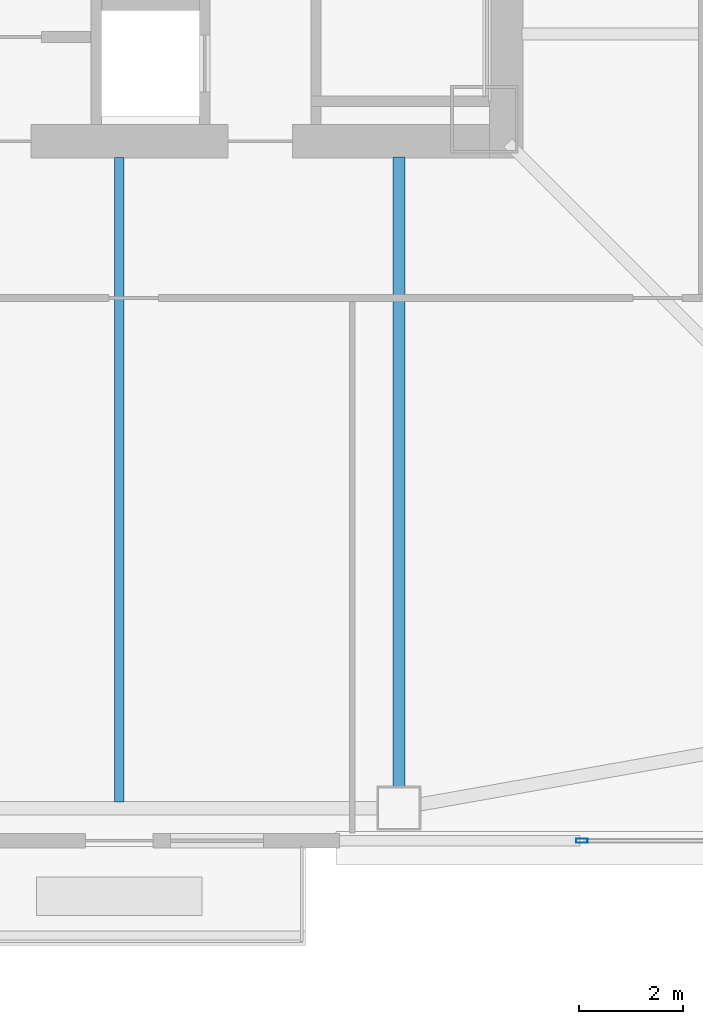
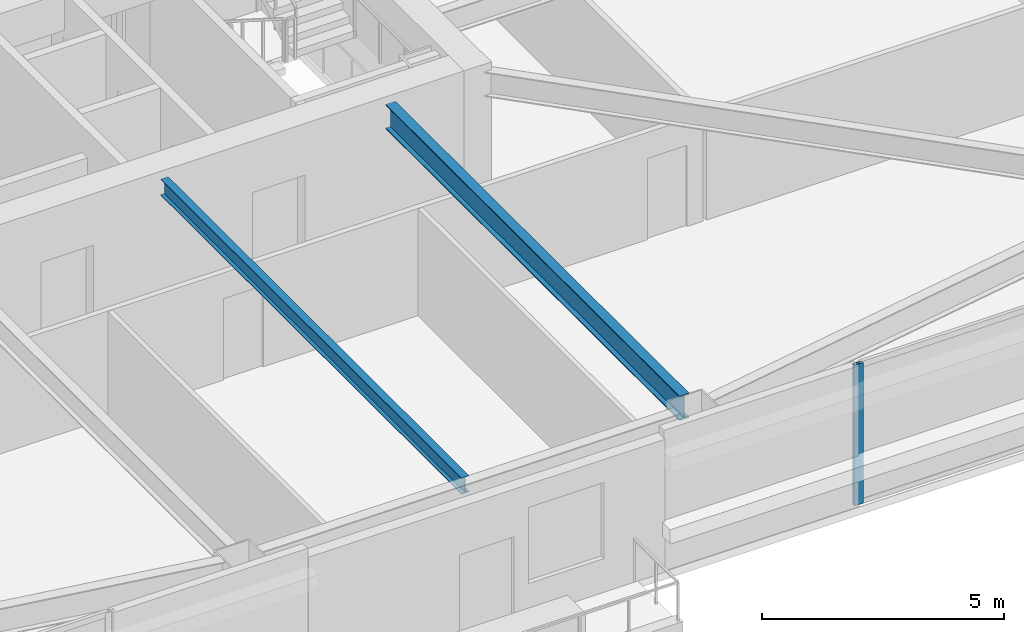
# One storey, part 5 of 44: 2 beams, 1 member, 1 element without a shape of its own.
"""IFC4 building model written with IfcOpenShell, lengths in metres."""

import ifcopenshell
import ifcopenshell.guid

model = None  # the IFC model being written
_history = None  # IfcOwnerHistory: only IFC2X3 demands one
_inside = {}  # id of a spatial element -> (the spatial element, [elements in it])
_under = {}  # id of a project, library or spatial element -> (it, [spatial elements below it])
_declared = {}  # id of a project -> (the project, [libraries it declares])
_typed = {}  # id of a type object -> (the type object, [elements of that type])
_made_of = {}  # id of a material, layer set ... -> (it, [elements and type objects made of it])


def new_model(schema):
    """Start an empty IFC model of exactly this schema.

    Asked for "IFC4X3", IfcOpenShell would pick the latest addendum, in which some entities
    have other attributes; the version numbers below select the first issue.
    IFC2X3 requires an IfcOwnerHistory on every rooted entity: one is made here for all.
    """
    global model, _history
    if schema == "IFC4X3":
        model = ifcopenshell.file(schema_version=(4, 3, 0, 0))
    else:
        model = ifcopenshell.file(schema=schema)
    _inside.clear()
    _under.clear()
    _declared.clear()
    _typed.clear()
    _made_of.clear()
    _history = None
    if model.schema == "IFC2X3":
        org = make("IfcOrganization", Name="unknown")
        user = make(
            "IfcPersonAndOrganization",
            ThePerson=make("IfcPerson", FamilyName="unknown"),
            TheOrganization=org,
        )
        app = make(
            "IfcApplication",
            ApplicationDeveloper=org,
            Version="unknown",
            ApplicationFullName="unknown",
            ApplicationIdentifier="unknown",
        )
        _history = make(
            "IfcOwnerHistory",
            OwningUser=user,
            OwningApplication=app,
            ChangeAction="ADDED",
            CreationDate=0,
        )
    return model


def make(cls, **values):
    """One entity of the class cls with the attributes given. An attribute that is None is left unset."""
    return model.create_entity(
        cls, **{name: value for name, value in values.items() if value is not None}
    )


def rooted(cls, **values):
    """An entity with a GlobalId (a new one), such as an element, a storey or a relation."""
    return make(cls, GlobalId=ifcopenshell.guid.new(), OwnerHistory=_history, **values)


def si_unit(unit_type, name, prefix=None):
    """IfcSIUnit, for example si_unit("LENGTHUNIT", "METRE", prefix="MILLI")."""
    return make("IfcSIUnit", UnitType=unit_type, Prefix=prefix, Name=name)


def assignment(units):
    """IfcUnitAssignment: the units of a project."""
    return None if units is None else make("IfcUnitAssignment", Units=units)


def point(xyz):
    """IfcCartesianPoint."""
    return None if xyz is None else make("IfcCartesianPoint", Coordinates=xyz)


def direction(xyz):
    """IfcDirection."""
    return None if xyz is None else make("IfcDirection", DirectionRatios=xyz)


def frame(location, z_axis=None, x_axis=None):
    """IfcAxis2Placement3D, a coordinate frame: its origin and axes. An axis left out is left unset."""
    return make(
        "IfcAxis2Placement3D",
        Location=point(location),
        Axis=direction(z_axis),
        RefDirection=direction(x_axis),
    )


def frame_2d(location, x_axis=None):
    """IfcAxis2Placement2D, a coordinate frame in the plane: its origin and x axis."""
    return make(
        "IfcAxis2Placement2D", Location=point(location), RefDirection=direction(x_axis)
    )


def origin():
    """The frame at (0, 0, 0) with its axes left unset."""
    return frame((0.0, 0.0, 0.0))


def origin_2d():
    """The frame at (0, 0) in the plane with its x axis left unset."""
    return frame_2d((0.0, 0.0))


def place(relative_to, where):
    """IfcLocalPlacement: puts the frame where relative to a parent placement (None: the world)."""
    return make(
        "IfcLocalPlacement", PlacementRelTo=relative_to, RelativePlacement=where
    )


def context(
    kind, dimensions, precision=None, world=None, true_north=None, identifier=None
):
    """IfcGeometricRepresentationContext, for example the 3D "Model" context."""
    return make(
        "IfcGeometricRepresentationContext",
        ContextIdentifier=identifier,
        ContextType=kind,
        CoordinateSpaceDimension=dimensions,
        Precision=precision,
        WorldCoordinateSystem=world,
        TrueNorth=true_north,
    )


def subcontext(parent, identifier, kind, view, scale=None):
    """IfcGeometricRepresentationSubContext, for example "Body" below "Model"."""
    return make(
        "IfcGeometricRepresentationSubContext",
        ContextIdentifier=identifier,
        ContextType=kind,
        ParentContext=parent,
        TargetScale=scale,
        TargetView=view,
    )


def project(units=None, contexts=None):
    """IfcProject with its units and contexts."""
    return rooted(
        "IfcProject",
        Name="project",
        RepresentationContexts=contexts,
        UnitsInContext=assignment(units),
    )


def spatial(cls, under=None, at=None, **own):
    """A site, building, storey or space (cls), placed at a placement, below another one or the project."""
    s = rooted(cls, ObjectPlacement=at, **own)
    if under is not None:
        _under.setdefault(under.id(), (under, []))[1].append(s)
    return s


def profile(cls, at=None, kind="AREA", **sizes):
    """A parametric profile (cls). Its sizes go by their IFC names, for example OverallWidth=200.0."""
    return make(cls, ProfileType=kind, Position=at, **sizes)


def hollow_rectangle(**sizes):
    """IfcRectangleHollowProfileDef."""
    return profile("IfcRectangleHollowProfileDef", **sizes)


def i_section(**sizes):
    """IfcIShapeProfileDef."""
    return profile("IfcIShapeProfileDef", **sizes)


def extrude(swept, where, along, depth):
    """IfcExtrudedAreaSolid: the profile swept, set in the frame where, extruded along a direction by depth."""
    return make(
        "IfcExtrudedAreaSolid",
        SweptArea=swept,
        Position=where,
        ExtrudedDirection=direction(along),
        Depth=depth,
    )


def shape(context_of_items, identifier, shape_type, items):
    """IfcShapeRepresentation: the items that make up one representation, for example the "Body"."""
    return make(
        "IfcShapeRepresentation",
        ContextOfItems=context_of_items,
        RepresentationIdentifier=identifier,
        RepresentationType=shape_type,
        Items=items,
    )


def material(Name=None, Category=None):
    """IfcMaterial."""
    return make("IfcMaterial", Name=Name, Category=Category)


def material_profile(
    of_material, cross_section, Name=None, Category=None, Priority=None
):
    """IfcMaterialProfile: a cross section and its material."""
    return make(
        "IfcMaterialProfile",
        Name=Name,
        Material=of_material,
        Profile=cross_section,
        Priority=Priority,
        Category=Category,
    )


def profile_set(profiles, Name=None, composite=None):
    """IfcMaterialProfileSet."""
    return make(
        "IfcMaterialProfileSet",
        Name=Name,
        MaterialProfiles=profiles,
        CompositeProfile=composite,
    )


def made_of(thing, what):
    """Note that an element or type object is made of a material, layer set ...; save() writes the relation."""
    if what is not None:
        _made_of.setdefault(what.id(), (what, []))[1].append(thing)
    return thing


def type_object(cls, material=None, **own):
    """A type object (cls), such as IfcWallType, which elements share."""
    return made_of(rooted(cls, **own), material)


def element(
    cls,
    number,
    at=None,
    inside=None,
    cuts=None,
    type_object=None,
    material=None,
    context=None,
    identifier="Body",
    shape_type=None,
    held_by="IfcProductDefinitionShape",
    body=None,
    shapes=None,
    **own,
):
    """One element of the class cls, such as IfcWall. Its Tag is "e" and its number.

    at: its placement. inside: the storey or other place that contains it. cuts: it is an
    opening in that element (IfcRelVoidsElement). A single representation is given by context,
    identifier, shape_type and body (its items); several are given by shapes. held_by: the class
    of the entity that holds the representations. save() writes the other relations.
    """
    e = rooted(cls, Tag="e%d" % number, ObjectPlacement=at, **own)
    if body is not None:
        shapes = [shape(context, identifier, shape_type, body)]
    if shapes is not None:
        e.Representation = make(held_by, Representations=shapes)
    if inside is not None:
        _inside.setdefault(inside.id(), (inside, []))[1].append(e)
    if cuts is not None:
        rooted(
            "IfcRelVoidsElement", RelatingBuildingElement=cuts, RelatedOpeningElement=e
        )
    if type_object is not None:
        _typed.setdefault(type_object.id(), (type_object, []))[1].append(e)
    return made_of(e, material)


def aggregate(whole, parts):
    """IfcRelAggregates: a whole, such as a stair, and the parts it consists of."""
    return rooted("IfcRelAggregates", RelatingObject=whole, RelatedObjects=parts)


def save(model, path):
    """Write the relations noted so far, then the file.

    IfcRelAggregates (storeys below a building ...), IfcRelContainedInSpatialStructure (elements
    in a storey), IfcRelDefinesByType, IfcRelAssociatesMaterial and IfcRelDeclares: one each for
    every whole, place, type object, material and project.
    """
    for whole, parts in _under.values():
        aggregate(whole, parts)
    for where, things in _inside.values():
        rooted(
            "IfcRelContainedInSpatialStructure",
            RelatedElements=things,
            RelatingStructure=where,
        )
    for kind, things in _typed.values():
        rooted("IfcRelDefinesByType", RelatedObjects=things, RelatingType=kind)
    for what, things in _made_of.values():
        rooted("IfcRelAssociatesMaterial", RelatedObjects=things, RelatingMaterial=what)
    for by, libraries in _declared.values():
        rooted("IfcRelDeclares", RelatingContext=by, RelatedDefinitions=libraries)
    model.write(path)


model = new_model("IFC4")

# Units and contexts
model_context = context("Model", 3, precision=1e-05, world=origin(), true_north=direction((0.0, 1.0)))
body_context = subcontext(model_context, "Body", "Model", "MODEL_VIEW")
ifc_project = project(units=[si_unit("LENGTHUNIT", "METRE"), si_unit("AREAUNIT", "SQUARE_METRE"), si_unit("VOLUMEUNIT", "CUBIC_METRE"), si_unit("PLANEANGLEUNIT", "RADIAN"), si_unit("MASSUNIT", "GRAM", prefix="KILO")], contexts=[model_context])

# Site, building, storey
site_placement = place(None, origin())
site = spatial("IfcSite", under=ifc_project, at=site_placement, CompositionType="ELEMENT")
building_placement = place(site_placement, origin())
building = spatial("IfcBuilding", under=site, at=building_placement, Name="Tashvorn Skyway Center", CompositionType="ELEMENT")
storey_placement = place(building_placement, frame((0.0, 0.0, 95.60009765625)))
storey = spatial("IfcBuildingStorey", under=building, at=storey_placement, Name="L25", CompositionType="ELEMENT", Elevation=95.60009765625)

# Beams
ifc_material_1 = material(Name="Steel ASTM A992 Grade 50", Category="steel")
ifc_material_profile_1 = material_profile(ifc_material_1, i_section(OverallWidth=0.22998046875, OverallDepth=0.616943359375, WebThickness=0.01318359375, FlangeThickness=0.022216796875, at=origin_2d()), Name="W24X94")
ifc_profile_set_1 = profile_set([ifc_material_profile_1], Name="Steel ASTM A992 Grade 50")
beam_type_1 = type_object("IfcBeamType", Name="BM-BEAM-W24X94", PredefinedType="BEAM", material=ifc_profile_set_1)
beam_1_placement = place(storey_placement, frame((47.39990234375, 12.070068359375, 3.04150390625), z_axis=(0.0, 1.0, 0.0), x_axis=(-1.0, 0.0, 0.0)))
element("IfcBeam", 1, at=beam_1_placement, inside=storey, type_object=beam_type_1, Name="Tower 1 L25 Primary Floor Girder FC-S2", PredefinedType="BEAM", context=body_context, shape_type="SweptSolid", body=[
    extrude(i_section(OverallWidth=0.22998046875, OverallDepth=0.616943359375, WebThickness=0.01318359375, FlangeThickness=0.022216796875, at=origin_2d()), origin(), (0.0, 0.0, 1.0), 12.14990234375),
])
ifc_material_profile_2 = material_profile(ifc_material_1, i_section(OverallWidth=0.177978515625, OverallDepth=0.406005859375, WebThickness=0.0078125, FlangeThickness=0.0126953125, at=origin_2d()), Name="W16X40")
ifc_profile_set_2 = profile_set([ifc_material_profile_2], Name="Steel ASTM A992 Grade 50")
beam_type_2 = type_object("IfcBeamType", Name="BM-JOIST-W16X40", PredefinedType="JOIST", material=ifc_profile_set_2)
beam_2_placement = place(storey_placement, frame((42.0, 24.2099609375, 3.14697265625), z_axis=(0.0, -1.0, 0.0), x_axis=(1.0, 0.0, 0.0)))
element("IfcBeam", 2, at=beam_2_placement, inside=storey, type_object=beam_type_2, Name="Tower 1 L25 Secondary Composite Joist JS", PredefinedType="JOIST", context=body_context, shape_type="SweptSolid", body=[
    extrude(i_section(OverallWidth=0.177978515625, OverallDepth=0.406005859375, WebThickness=0.0078125, FlangeThickness=0.0126953125, at=origin_2d()), origin(), (0.0, 0.0, 1.0), 12.43994140625),
])

# Curtain wall, member
ifc_material_2 = material(Name="Thermally broken bronze-anodized aluminium 6063-T6", Category="aluminium")
curtain_wall_type = type_object("IfcCurtainWallType", Name="CW-CW-Z2", PredefinedType="NOTDEFINED", material=ifc_material_2)
curtain_wall_placement = place(storey_placement, origin())
curtain_wall = element("IfcCurtainWall", 3, at=curtain_wall_placement, inside=storey, type_object=curtain_wall_type, Name="Tower 1 L25 South Curtain Wall L Glazing Group 1", PredefinedType="NOTDEFINED")
ifc_material_profile_3 = material_profile(ifc_material_2, hollow_rectangle(XDim=0.080078125, YDim=0.219970703125, WallThickness=0.0048828125, at=origin_2d()), Name="ALU-MULL-80x220")
ifc_profile_set_3 = profile_set([ifc_material_profile_3], Name="Thermally broken bronze-anodized aluminium 6063-T6")
member_type = type_object("IfcMemberType", Name="CWM-CW-Z2", PredefinedType="MULLION", material=ifc_profile_set_3)
member_placement = place(storey_placement, frame((50.933349609375, 11.02001953125, 0.0), z_axis=(0.0, 0.0, 1.0), x_axis=(0.0, -1.0, 0.0)))
member = element("IfcMember", 4, at=member_placement, type_object=member_type, Name="CW-Z2 mullion 3", PredefinedType="MULLION", context=body_context, shape_type="SweptSolid", body=[
    extrude(hollow_rectangle(XDim=0.080078125, YDim=0.219970703125, WallThickness=0.0048828125, at=origin_2d()), origin(), (0.0, 0.0, 1.0), 3.5498046875),
])
aggregate(curtain_wall, [member])

save(model, "model.ifc")
